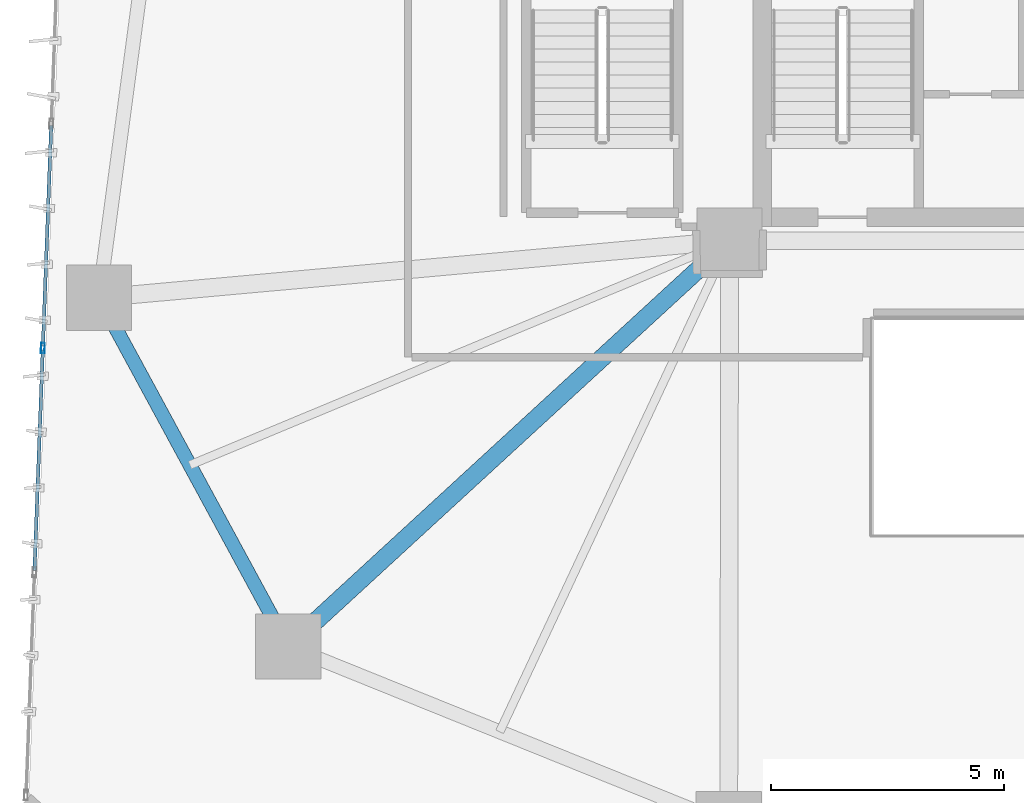
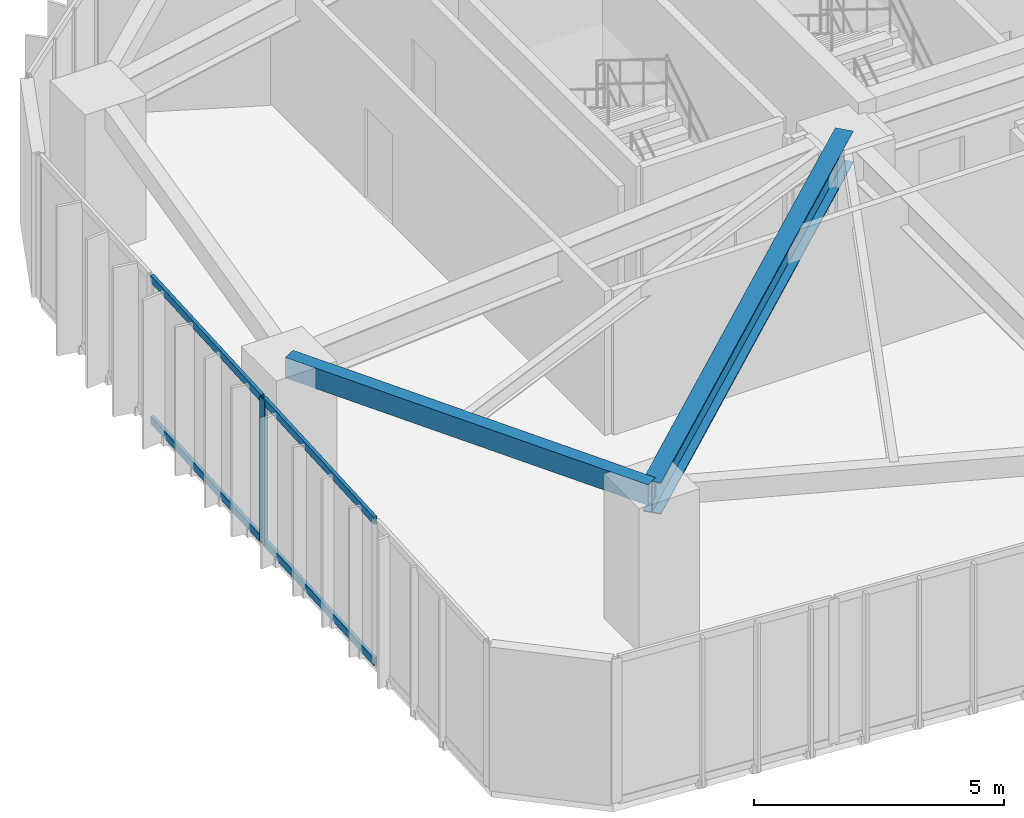
# One storey, part 3 of 23: 5 members, 2 beams, 1 element without a shape of its own.
"""IFC4 building model written with IfcOpenShell, lengths in metres."""

from ifc_helpers import new_model, si_unit, direction, frame, origin, origin_2d, place, context, subcontext, project, spatial, hollow_rectangle, i_section, extrude, source, transform, mapped, material, layer, layer_set, material_profile, profile_set, type_object, type_shapes, element, aggregate, save


model = new_model("IFC4")

# Units and contexts
model_context = context("Model", 3, precision=1e-05, world=origin(), true_north=direction((0.0, 1.0)))
body_context = subcontext(model_context, "Body", "Model", "MODEL_VIEW")
ifc_project = project(units=[si_unit("LENGTHUNIT", "METRE"), si_unit("AREAUNIT", "SQUARE_METRE"), si_unit("VOLUMEUNIT", "CUBIC_METRE"), si_unit("PLANEANGLEUNIT", "RADIAN"), si_unit("MASSUNIT", "GRAM", prefix="KILO")], contexts=[model_context])

# Site, building, storey
site_placement = place(None, origin())
site = spatial("IfcSite", under=ifc_project, at=site_placement, CompositionType="ELEMENT")
building_placement = place(site_placement, origin())
building = spatial("IfcBuilding", under=site, at=building_placement, Name="Talar Marvaseh", CompositionType="ELEMENT")
storey_placement = place(building_placement, frame((0.0, 0.0, 77.199951171875)))
storey = spatial("IfcBuildingStorey", under=building, at=storey_placement, Name="L19", CompositionType="ELEMENT", Elevation=77.199951171875)

# Beams
ifc_material_1 = material(Name="Steel S355", Category="steel")
ifc_material_profile_1 = material_profile(ifc_material_1, hollow_rectangle(XDim=0.300048828125, YDim=0.5, WallThickness=0.02001953125, at=origin_2d()), Name="RHS500x300x20")
ifc_profile_set_1 = profile_set([ifc_material_profile_1], Name="Steel S355")
beam_type_1 = type_object("IfcBeamType", Name="Zone 1 Perimeter Spandrel Beam RHS500x300x20", PredefinedType="SPANDREL", material=ifc_profile_set_1)
beam_1_placement = place(storey_placement, frame((9.23193359375, 16.7958984375, 3.27001953125), z_axis=(-0.476758155578, 0.879034505062, 0.0), x_axis=(-0.879034505062, -0.476758155578, 0.0)))
element("IfcBeam", 1, at=beam_1_placement, inside=storey, type_object=beam_type_1, Name="L19 Zone 1 Perimeter Spandrel Beam RHS500x300x20", PredefinedType="SPANDREL", context=body_context, shape_type="SweptSolid", body=[
    extrude(hollow_rectangle(XDim=0.300048828125, YDim=0.5, WallThickness=0.02001953125, at=origin_2d()), origin(), (0.0, 0.0, 1.0), 8.50927734375),
])
ifc_material_profile_2 = material_profile(ifc_material_1, i_section(OverallWidth=0.381103515625, OverallDepth=0.77294921875, WebThickness=0.0166015625, FlangeThickness=0.027099609375, at=origin_2d()), Name="W760x257")
ifc_profile_set_2 = profile_set([ifc_material_profile_2], Name="Steel S355")
beam_type_2 = type_object("IfcBeamType", Name="Zone 1 Radial Floor Girder W760x257", PredefinedType="BEAM", material=ifc_profile_set_2)
beam_2_placement = place(storey_placement, frame((9.23193359375, 16.7958984375, 3.133544921875), z_axis=(0.736181804049, 0.676783829142, 0.0), x_axis=(-0.676783829142, 0.736181804049, 0.0)))
element("IfcBeam", 2, at=beam_2_placement, inside=storey, type_object=beam_type_2, Name="L19 Zone 1 Radial Floor Girder W760x257", PredefinedType="BEAM", context=body_context, shape_type="SweptSolid", body=[
    extrude(i_section(OverallWidth=0.381103515625, OverallDepth=0.77294921875, WebThickness=0.0166015625, FlangeThickness=0.027099609375, at=origin_2d()), origin(), (0.0, 0.0, 1.0), 12.861083984375),
])

# Curtain wall, members
ifc_material_2 = material(Name="Architectural Aluminium", Category="aluminium")
ifc_layer = layer(ifc_material_2, 0.219970703125)
ifc_layer_set = layer_set([ifc_layer], Name="Architectural Aluminium")
curtain_wall_type = type_object("IfcCurtainWallType", Name="Unitised Low-E Museum Curtain Wall Z1", PredefinedType="NOTDEFINED", material=ifc_layer_set)
curtain_wall_placement = place(storey_placement, origin())
curtain_wall = element("IfcCurtainWall", 3, at=curtain_wall_placement, inside=storey, type_object=curtain_wall_type, Name="L19 Unitised Low-E Museum Curtain Wall Z1", PredefinedType="NOTDEFINED")
ifc_material_profile_3 = material_profile(ifc_material_2, hollow_rectangle(XDim=0.080078125, YDim=0.219970703125, WallThickness=0.0048828125, at=origin_2d()), Name="RHS220x80x5")
ifc_profile_set_3 = profile_set([ifc_material_profile_3], Name="Architectural Aluminium")
member_type_1 = type_object("IfcMemberType", Name="Unitised Curtain Wall Heavy Mullion RHS220x80x5", PredefinedType="MULLION", material=ifc_profile_set_3)
shared_shape_1 = source(origin(), body_context, "Body", "SweptSolid", [
    extrude(hollow_rectangle(XDim=0.080078125, YDim=0.219970703125, WallThickness=0.0048828125, at=origin_2d()), origin(), (0.0, 0.0, 1.0), 3.52001953125),
])
type_shapes(member_type_1, [shared_shape_1])
member_1_placement = place(storey_placement, frame((3.968017578125, 23.19580078125, 0.0), z_axis=(0.0, 0.0, 1.0), x_axis=(-0.99929348911, 0.037583541904, 0.0)))
member_1 = element("IfcMember", 4, at=member_1_placement, type_object=member_type_1, Name="CW-Z1 mullion 3", PredefinedType="MULLION", context=body_context, shape_type="MappedRepresentation", body=[
    mapped(shared_shape_1, transform((0.0, 0.0, 0.0), x_axis=(1.0, 0.0, 0.0), y_axis=(0.0, 1.0, 0.0), z_axis=(0.0, 0.0, 1.0), scale=1.0)),
])
ifc_material_profile_4 = material_profile(ifc_material_2, hollow_rectangle(XDim=0.074951171875, YDim=0.179931640625, WallThickness=0.0048828125, at=origin_2d()), Name="RHS180x75x5")
ifc_profile_set_4 = profile_set([ifc_material_profile_4], Name="Architectural Aluminium")
member_type_2 = type_object("IfcMemberType", Name="Unitised Curtain Wall Transom RHS180x75x5", PredefinedType="USERDEFINED", material=ifc_profile_set_4)
shared_shape_2 = source(origin(), body_context, "Body", "SweptSolid", [
    extrude(hollow_rectangle(XDim=0.074951171875, YDim=0.179931640625, WallThickness=0.0048828125, at=origin_2d()), origin(), (0.0, 0.0, 1.0), 4.73681640625),
])
type_shapes(member_type_2, [shared_shape_2])
member_2_placement = place(storey_placement, frame((3.78857421875, 18.422607421875, 0.03759765625), z_axis=(0.037574025915, 0.999293846962, 0.0), x_axis=(-0.999293846962, 0.037574025915, 0.0)))
member_2 = element("IfcMember", 5, at=member_2_placement, type_object=member_type_2, Name="CW-Z1 transom 2.1", ObjectType="TRANSOM", PredefinedType="USERDEFINED", context=body_context, shape_type="MappedRepresentation", body=[
    mapped(shared_shape_2, transform((0.0, 0.0, 0.0), x_axis=(1.0, 0.0, 0.0), y_axis=(0.0, 1.0, 0.0), z_axis=(0.0, 0.0, 1.0), scale=1.0)),
])
member_3_placement = place(storey_placement, frame((3.78857421875, 18.422607421875, 3.482666015625), z_axis=(0.037574025915, 0.999293846962, 0.0), x_axis=(-0.999293846962, 0.037574025915, 0.0)))
member_3 = element("IfcMember", 6, at=member_3_placement, type_object=member_type_2, Name="CW-Z1 transom 2.2", ObjectType="TRANSOM", PredefinedType="USERDEFINED", context=body_context, shape_type="MappedRepresentation", body=[
    mapped(shared_shape_2, transform((0.0, 0.0, 0.0), x_axis=(1.0, 0.0, 0.0), y_axis=(0.0, 1.0, 0.0), z_axis=(0.0, 0.0, 1.0), scale=1.0)),
])
member_4_placement = place(storey_placement, frame((3.969482421875, 23.23583984375, 0.03759765625), z_axis=(0.037574025915, 0.999293846962, 0.0), x_axis=(-0.999293846962, 0.037574025915, 0.0)))
member_4 = element("IfcMember", 7, at=member_4_placement, type_object=member_type_2, Name="CW-Z1 transom 3.1", ObjectType="TRANSOM", PredefinedType="USERDEFINED", context=body_context, shape_type="MappedRepresentation", body=[
    mapped(shared_shape_2, transform((0.0, 0.0, 0.0), x_axis=(1.0, 0.0, 0.0), y_axis=(0.0, 1.0, 0.0), z_axis=(0.0, 0.0, 1.0), scale=1.0)),
])
member_5_placement = place(storey_placement, frame((3.969482421875, 23.23583984375, 3.482666015625), z_axis=(0.037574025915, 0.999293846962, 0.0), x_axis=(-0.999293846962, 0.037574025915, 0.0)))
member_5 = element("IfcMember", 8, at=member_5_placement, type_object=member_type_2, Name="CW-Z1 transom 3.2", ObjectType="TRANSOM", PredefinedType="USERDEFINED", context=body_context, shape_type="MappedRepresentation", body=[
    mapped(shared_shape_2, transform((0.0, 0.0, 0.0), x_axis=(1.0, 0.0, 0.0), y_axis=(0.0, 1.0, 0.0), z_axis=(0.0, 0.0, 1.0), scale=1.0)),
])
aggregate(curtain_wall, [member_1, member_2, member_3, member_4, member_5])

save(model, "model.ifc")
